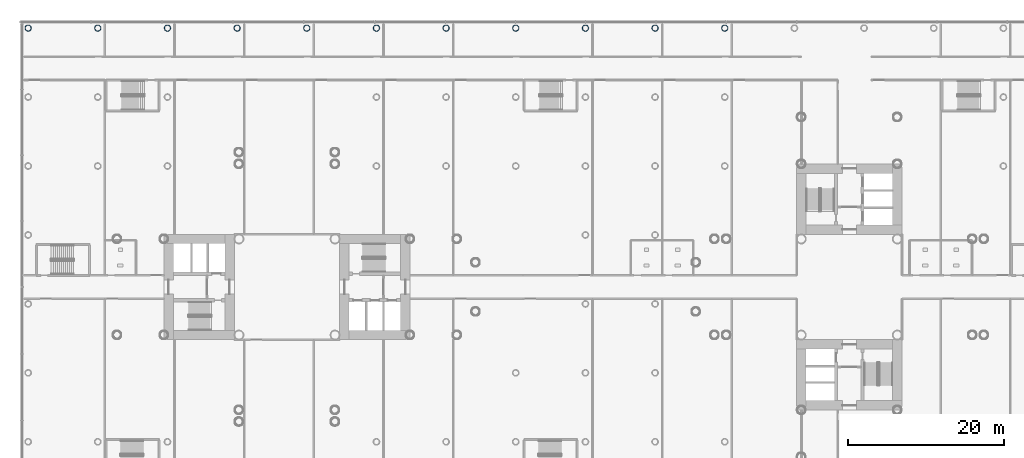
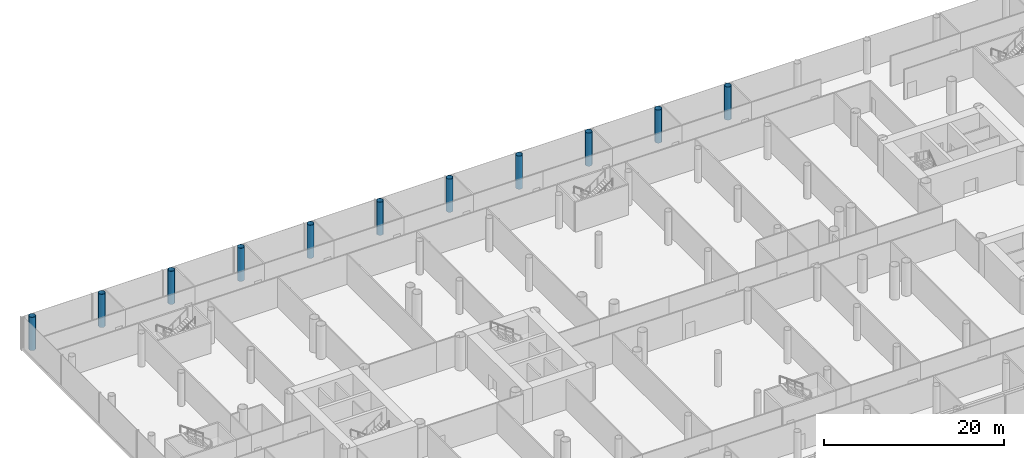
# One storey, part 3 of 51: 11 columns.
"""IFC4 building model written with IfcOpenShell, lengths in metres."""

from ifc_helpers import new_model, si_unit, direction, frame, origin, origin_2d, place, context, subcontext, project, spatial, hollow_circle, extrude, material, material_profile, profile_set, type_object, element, save


model = new_model("IFC4")

# Units and contexts
model_context = context("Model", 3, precision=1e-05, world=origin(), true_north=direction((0.0, 1.0)))
body_context = subcontext(model_context, "Body", "Model", "MODEL_VIEW")
ifc_project = project(units=[si_unit("LENGTHUNIT", "METRE"), si_unit("AREAUNIT", "SQUARE_METRE"), si_unit("VOLUMEUNIT", "CUBIC_METRE"), si_unit("PLANEANGLEUNIT", "RADIAN"), si_unit("MASSUNIT", "GRAM", prefix="KILO")], contexts=[model_context])

# Site, building, storey
site_placement = place(None, origin())
site = spatial("IfcSite", under=ifc_project, at=site_placement, CompositionType="ELEMENT")
building_placement = place(site_placement, origin())
building = spatial("IfcBuilding", under=site, at=building_placement, Name="Ipe Terrace Towers", CompositionType="ELEMENT")
storey_placement = place(building_placement, frame((0.0, 0.0, 15.5)))
storey = spatial("IfcBuildingStorey", under=building, at=storey_placement, Name="L03", CompositionType="ELEMENT", Elevation=15.5)

# Columns
ifc_material = material(Name="Steel S355 tube with Concrete C60/75 fill", Category="concrete")
ifc_material_profile = material_profile(ifc_material, hollow_circle(Radius=0.39990234375, WallThickness=0.028076171875, at=origin_2d()), Name="CHS-800x28")
ifc_profile_set = profile_set([ifc_material_profile], Name="Steel S355 tube with Concrete C60/75 fill")
column_type = type_object("IfcColumnType", Name="CH09 PODIUM COLUMN CHS-800x28", PredefinedType="COLUMN", material=ifc_profile_set)
for number, where, z_axis, x_axis, name in (
    (1, (-69.14990234375, 33.14990234375, 0.0), (0.0, 0.0, 1.0), (1.0, 0.0, 0.0), "Column PD-C-K01"),
    (2, (-60.22998046875, 33.14990234375, 0.0), (0.0, 0.0, 1.0), (1.0, 0.0, 0.0), "Column PD-C-K02"),
    (3, (-51.31005859375, 33.14990234375, 0.0), (0.0, 0.0, 1.0), (1.0, 0.0, 0.0), "Column PD-C-K03"),
    (4, (-42.389892578125, 33.14990234375, 0.0), (0.0, 0.0, 1.0), (1.0, 0.0, 0.0), "Column PD-C-K04"),
    (5, (-33.469970703125, 33.14990234375, 0.0), (0.0, 0.0, 1.0), (1.0, 0.0, 0.0), "Column PD-C-K05"),
    (6, (-24.550048828125, 33.14990234375, 0.0), (0.0, 0.0, 1.0), (1.0, 0.0, 0.0), "Column PD-C-K06"),
    (7, (-15.6298828125, 33.14990234375, 0.0), (0.0, 0.0, 1.0), (1.0, 0.0, 0.0), "Column PD-C-K07"),
    (8, (-6.7099609375, 33.14990234375, 0.0), (0.0, 0.0, 1.0), (1.0, 0.0, 0.0), "Column PD-C-K08"),
    (9, (2.2099609375, 33.14990234375, 0.0), (0.0, 0.0, 1.0), (1.0, 0.0, 0.0), "Column PD-C-K09"),
    (10, (11.1298828125, 33.14990234375, 0.0), (0.0, 0.0, 1.0), (1.0, 0.0, 0.0), "Column PD-C-K10"),
    (11, (20.050048828125, 33.14990234375, 0.0), (0.0, 0.0, 1.0), (1.0, 0.0, 0.0), "Column PD-C-K11"),
):
    element("IfcColumn", number, at=place(storey_placement, frame(where, z_axis=z_axis, x_axis=x_axis)), inside=storey, type_object=column_type, Name=name, PredefinedType="COLUMN", context=body_context, shape_type="SweptSolid", body=[
        extrude(hollow_circle(Radius=0.39990234375, WallThickness=0.028076171875, at=origin_2d()), origin(), (0.0, 0.0, 1.0), 4.5),
    ])

save(model, "model.ifc")
